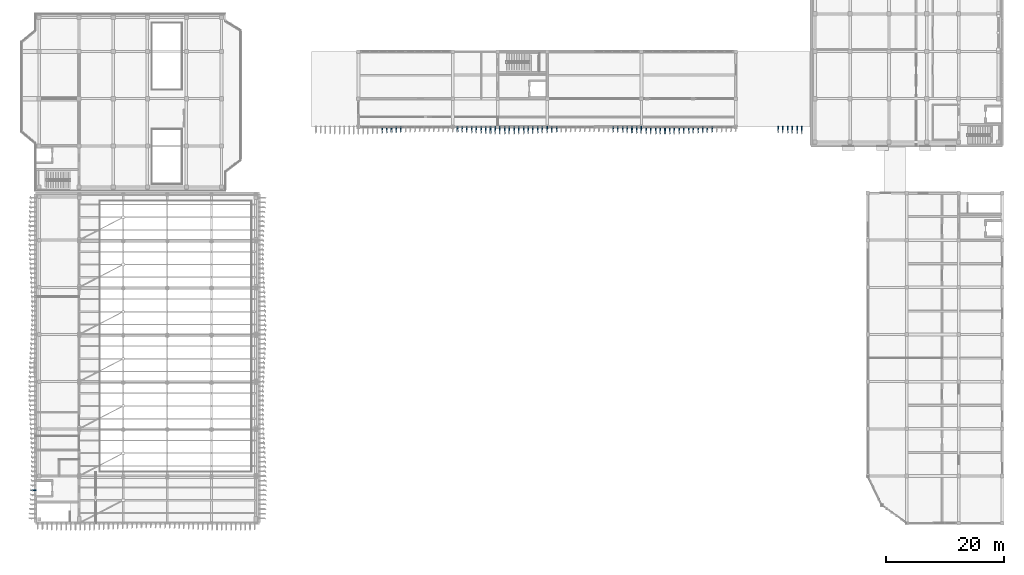
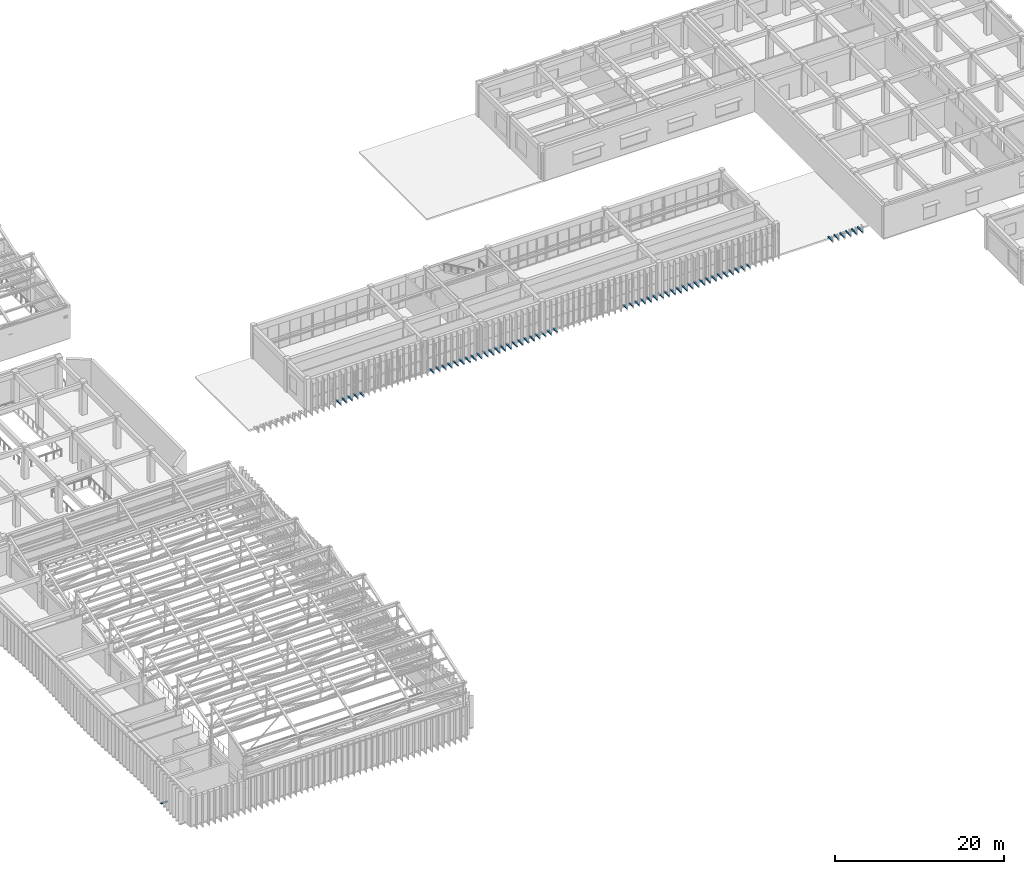
# One storey, part 62 of 76: 56 discrete accessories.
"""IFC4 building model written with IfcOpenShell, lengths in metres."""

from ifc_helpers import new_model, si_unit, direction, frame, origin, origin_2d, place, context, subcontext, project, spatial, rectangle, extrude, material, type_object, element, save


model = new_model("IFC4")

# Units and contexts
model_context = context("Model", 3, precision=1e-05, world=origin(), true_north=direction((0.0, 1.0)))
body_context = subcontext(model_context, "Body", "Model", "MODEL_VIEW")
ifc_project = project(units=[si_unit("LENGTHUNIT", "METRE"), si_unit("AREAUNIT", "SQUARE_METRE"), si_unit("VOLUMEUNIT", "CUBIC_METRE"), si_unit("PLANEANGLEUNIT", "RADIAN"), si_unit("MASSUNIT", "GRAM", prefix="KILO")], contexts=[model_context])

# Site, building, storey
site_placement = place(None, origin())
site = spatial("IfcSite", under=ifc_project, at=site_placement, CompositionType="ELEMENT")
building_placement = place(site_placement, origin())
building = spatial("IfcBuilding", under=site, at=building_placement, Name="Cinchona Park Media Centre", CompositionType="ELEMENT")
storey_placement = place(building_placement, frame((0.0, 0.0, 15.60009765625)))
storey = spatial("IfcBuildingStorey", under=building, at=storey_placement, Name="L03", CompositionType="ELEMENT", Elevation=15.60009765625)

# Discrete accessories
ifc_material = material(Name="Steel S355", Category="steel")
discrete_accessory_type = type_object("IfcDiscreteAccessoryType", Name="BRACKET-BRK01", PredefinedType="BRACKET", material=ifc_material)
discrete_accessory_1_placement = place(storey_placement, frame((7.68994140625, 13.199951171875, 0.0400390625), z_axis=(0.0, 0.0, 1.0), x_axis=(0.0, -1.0, 0.0)))
element("IfcDiscreteAccessory", 1, at=discrete_accessory_1_placement, inside=storey, type_object=discrete_accessory_type, Name="Facade Fin Outrigger Bracket L03", PredefinedType="BRACKET", context=body_context, shape_type="SweptSolid", body=[
    extrude(rectangle(XDim=0.179931640625, YDim=0.93994140625, at=origin_2d()), origin(), (0.0, 0.0, 1.0), 0.159912109375),
])
discrete_accessory_2_placement = place(storey_placement, frame((66.800048828125, 74.385986328125, 0.0400390625), z_axis=(0.0, 0.0, 1.0), x_axis=(1.0, 0.0, 0.0)))
element("IfcDiscreteAccessory", 2, at=discrete_accessory_2_placement, inside=storey, type_object=discrete_accessory_type, Name="Facade Fin Outrigger Bracket L03", PredefinedType="BRACKET", context=body_context, shape_type="SweptSolid", body=[
    extrude(rectangle(XDim=0.179931640625, YDim=1.14794921875, at=origin_2d()), origin(), (0.0, 0.0, 1.0), 0.159912109375),
])
discrete_accessory_3_placement = place(storey_placement, frame((67.60009765625, 74.405029296875, 0.0400390625), z_axis=(0.0, 0.0, 1.0), x_axis=(1.0, 0.0, 0.0)))
element("IfcDiscreteAccessory", 3, at=discrete_accessory_3_placement, inside=storey, type_object=discrete_accessory_type, Name="Facade Fin Outrigger Bracket L03", PredefinedType="BRACKET", context=body_context, shape_type="SweptSolid", body=[
    extrude(rectangle(XDim=0.179931640625, YDim=1.110107421875, at=origin_2d()), origin(), (0.0, 0.0, 1.0), 0.159912109375),
])
discrete_accessory_4_placement = place(storey_placement, frame((68.39990234375, 74.425048828125, 0.0400390625), z_axis=(0.0, 0.0, 1.0), x_axis=(1.0, 0.0, 0.0)))
element("IfcDiscreteAccessory", 4, at=discrete_accessory_4_placement, inside=storey, type_object=discrete_accessory_type, Name="Facade Fin Outrigger Bracket L03", PredefinedType="BRACKET", context=body_context, shape_type="SweptSolid", body=[
    extrude(rectangle(XDim=0.179931640625, YDim=1.070068359375, at=origin_2d()), origin(), (0.0, 0.0, 1.0), 0.159912109375),
])
discrete_accessory_5_placement = place(storey_placement, frame((69.199951171875, 74.445068359375, 0.0400390625), z_axis=(0.0, 0.0, 1.0), x_axis=(1.0, 0.0, 0.0)))
element("IfcDiscreteAccessory", 5, at=discrete_accessory_5_placement, inside=storey, type_object=discrete_accessory_type, Name="Facade Fin Outrigger Bracket L03", PredefinedType="BRACKET", context=body_context, shape_type="SweptSolid", body=[
    extrude(rectangle(XDim=0.179931640625, YDim=1.030029296875, at=origin_2d()), origin(), (0.0, 0.0, 1.0), 0.159912109375),
])
discrete_accessory_6_placement = place(storey_placement, frame((70.0, 74.464111328125, 0.0400390625), z_axis=(0.0, 0.0, 1.0), x_axis=(1.0, 0.0, 0.0)))
element("IfcDiscreteAccessory", 6, at=discrete_accessory_6_placement, inside=storey, type_object=discrete_accessory_type, Name="Facade Fin Outrigger Bracket L03", PredefinedType="BRACKET", context=body_context, shape_type="SweptSolid", body=[
    extrude(rectangle(XDim=0.179931640625, YDim=0.991943359375, at=origin_2d()), origin(), (0.0, 0.0, 1.0), 0.159912109375),
])
discrete_accessory_7_placement = place(storey_placement, frame((79.60009765625, 74.472900390625, 0.0400390625), z_axis=(0.0, 0.0, 1.0), x_axis=(1.0, 0.0, 0.0)))
element("IfcDiscreteAccessory", 7, at=discrete_accessory_7_placement, inside=storey, type_object=discrete_accessory_type, Name="Facade Fin Outrigger Bracket L03", PredefinedType="BRACKET", context=body_context, shape_type="SweptSolid", body=[
    extrude(rectangle(XDim=0.179931640625, YDim=0.97412109375, at=origin_2d()), origin(), (0.0, 0.0, 1.0), 0.159912109375),
])
discrete_accessory_8_placement = place(storey_placement, frame((80.39990234375, 74.455078125, 0.0400390625), z_axis=(0.0, 0.0, 1.0), x_axis=(1.0, 0.0, 0.0)))
element("IfcDiscreteAccessory", 8, at=discrete_accessory_8_placement, inside=storey, type_object=discrete_accessory_type, Name="Facade Fin Outrigger Bracket L03", PredefinedType="BRACKET", context=body_context, shape_type="SweptSolid", body=[
    extrude(rectangle(XDim=0.179931640625, YDim=1.010986328125, at=origin_2d()), origin(), (0.0, 0.0, 1.0), 0.159912109375),
])
discrete_accessory_9_placement = place(storey_placement, frame((81.199951171875, 74.43505859375, 0.0400390625), z_axis=(0.0, 0.0, 1.0), x_axis=(1.0, 0.0, 0.0)))
element("IfcDiscreteAccessory", 9, at=discrete_accessory_9_placement, inside=storey, type_object=discrete_accessory_type, Name="Facade Fin Outrigger Bracket L03", PredefinedType="BRACKET", context=body_context, shape_type="SweptSolid", body=[
    extrude(rectangle(XDim=0.179931640625, YDim=1.050048828125, at=origin_2d()), origin(), (0.0, 0.0, 1.0), 0.159912109375),
])
discrete_accessory_10_placement = place(storey_placement, frame((82.0, 74.4150390625, 0.0400390625), z_axis=(0.0, 0.0, 1.0), x_axis=(1.0, 0.0, 0.0)))
element("IfcDiscreteAccessory", 10, at=discrete_accessory_10_placement, inside=storey, type_object=discrete_accessory_type, Name="Facade Fin Outrigger Bracket L03", PredefinedType="BRACKET", context=body_context, shape_type="SweptSolid", body=[
    extrude(rectangle(XDim=0.179931640625, YDim=1.090087890625, at=origin_2d()), origin(), (0.0, 0.0, 1.0), 0.159912109375),
])
discrete_accessory_11_placement = place(storey_placement, frame((82.800048828125, 74.39501953125, 0.0400390625), z_axis=(0.0, 0.0, 1.0), x_axis=(1.0, 0.0, 0.0)))
element("IfcDiscreteAccessory", 11, at=discrete_accessory_11_placement, inside=storey, type_object=discrete_accessory_type, Name="Facade Fin Outrigger Bracket L03", PredefinedType="BRACKET", context=body_context, shape_type="SweptSolid", body=[
    extrude(rectangle(XDim=0.179931640625, YDim=1.12890625, at=origin_2d()), origin(), (0.0, 0.0, 1.0), 0.159912109375),
])
discrete_accessory_12_placement = place(storey_placement, frame((83.60009765625, 74.376953125, 0.0400390625), z_axis=(0.0, 0.0, 1.0), x_axis=(1.0, 0.0, 0.0)))
element("IfcDiscreteAccessory", 12, at=discrete_accessory_12_placement, inside=storey, type_object=discrete_accessory_type, Name="Facade Fin Outrigger Bracket L03", PredefinedType="BRACKET", context=body_context, shape_type="SweptSolid", body=[
    extrude(rectangle(XDim=0.179931640625, YDim=1.166015625, at=origin_2d()), origin(), (0.0, 0.0, 1.0), 0.159912109375),
])
discrete_accessory_13_placement = place(storey_placement, frame((84.39990234375, 74.360107421875, 0.0400390625), z_axis=(0.0, 0.0, 1.0), x_axis=(1.0, 0.0, 0.0)))
element("IfcDiscreteAccessory", 13, at=discrete_accessory_13_placement, inside=storey, type_object=discrete_accessory_type, Name="Facade Fin Outrigger Bracket L03", PredefinedType="BRACKET", context=body_context, shape_type="SweptSolid", body=[
    extrude(rectangle(XDim=0.179931640625, YDim=1.199951171875, at=origin_2d()), origin(), (0.0, 0.0, 1.0), 0.159912109375),
])
discrete_accessory_14_placement = place(storey_placement, frame((85.199951171875, 74.345947265625, 0.0400390625), z_axis=(0.0, 0.0, 1.0), x_axis=(1.0, 0.0, 0.0)))
element("IfcDiscreteAccessory", 14, at=discrete_accessory_14_placement, inside=storey, type_object=discrete_accessory_type, Name="Facade Fin Outrigger Bracket L03", PredefinedType="BRACKET", context=body_context, shape_type="SweptSolid", body=[
    extrude(rectangle(XDim=0.179931640625, YDim=1.22900390625, at=origin_2d()), origin(), (0.0, 0.0, 1.0), 0.159912109375),
])
discrete_accessory_15_placement = place(storey_placement, frame((86.0, 74.333984375, 0.0400390625), z_axis=(0.0, 0.0, 1.0), x_axis=(1.0, 0.0, 0.0)))
element("IfcDiscreteAccessory", 15, at=discrete_accessory_15_placement, inside=storey, type_object=discrete_accessory_type, Name="Facade Fin Outrigger Bracket L03", PredefinedType="BRACKET", context=body_context, shape_type="SweptSolid", body=[
    extrude(rectangle(XDim=0.179931640625, YDim=1.251953125, at=origin_2d()), origin(), (0.0, 0.0, 1.0), 0.159912109375),
])
discrete_accessory_16_placement = place(storey_placement, frame((86.800048828125, 74.325927734375, 0.0400390625), z_axis=(0.0, 0.0, 1.0), x_axis=(1.0, 0.0, 0.0)))
element("IfcDiscreteAccessory", 16, at=discrete_accessory_16_placement, inside=storey, type_object=discrete_accessory_type, Name="Facade Fin Outrigger Bracket L03", PredefinedType="BRACKET", context=body_context, shape_type="SweptSolid", body=[
    extrude(rectangle(XDim=0.179931640625, YDim=1.26806640625, at=origin_2d()), origin(), (0.0, 0.0, 1.0), 0.159912109375),
])
discrete_accessory_17_placement = place(storey_placement, frame((87.60009765625, 74.321044921875, 0.0400390625), z_axis=(0.0, 0.0, 1.0), x_axis=(1.0, 0.0, 0.0)))
element("IfcDiscreteAccessory", 17, at=discrete_accessory_17_placement, inside=storey, type_object=discrete_accessory_type, Name="Facade Fin Outrigger Bracket L03", PredefinedType="BRACKET", context=body_context, shape_type="SweptSolid", body=[
    extrude(rectangle(XDim=0.179931640625, YDim=1.278076171875, at=origin_2d()), origin(), (0.0, 0.0, 1.0), 0.159912109375),
])
discrete_accessory_18_placement = place(storey_placement, frame((88.39990234375, 74.320068359375, 0.0400390625), z_axis=(0.0, 0.0, 1.0), x_axis=(1.0, 0.0, 0.0)))
element("IfcDiscreteAccessory", 18, at=discrete_accessory_18_placement, inside=storey, type_object=discrete_accessory_type, Name="Facade Fin Outrigger Bracket L03", PredefinedType="BRACKET", context=body_context, shape_type="SweptSolid", body=[
    extrude(rectangle(XDim=0.179931640625, YDim=1.280029296875, at=origin_2d()), origin(), (0.0, 0.0, 1.0), 0.159912109375),
])
discrete_accessory_19_placement = place(storey_placement, frame((89.199951171875, 74.322998046875, 0.0400390625), z_axis=(0.0, 0.0, 1.0), x_axis=(1.0, 0.0, 0.0)))
element("IfcDiscreteAccessory", 19, at=discrete_accessory_19_placement, inside=storey, type_object=discrete_accessory_type, Name="Facade Fin Outrigger Bracket L03", PredefinedType="BRACKET", context=body_context, shape_type="SweptSolid", body=[
    extrude(rectangle(XDim=0.179931640625, YDim=1.27392578125, at=origin_2d()), origin(), (0.0, 0.0, 1.0), 0.159912109375),
])
discrete_accessory_20_placement = place(storey_placement, frame((90.0, 74.3291015625, 0.0400390625), z_axis=(0.0, 0.0, 1.0), x_axis=(1.0, 0.0, 0.0)))
element("IfcDiscreteAccessory", 20, at=discrete_accessory_20_placement, inside=storey, type_object=discrete_accessory_type, Name="Facade Fin Outrigger Bracket L03", PredefinedType="BRACKET", context=body_context, shape_type="SweptSolid", body=[
    extrude(rectangle(XDim=0.179931640625, YDim=1.260986328125, at=origin_2d()), origin(), (0.0, 0.0, 1.0), 0.159912109375),
])
discrete_accessory_21_placement = place(storey_placement, frame((90.800048828125, 74.339111328125, 0.0400390625), z_axis=(0.0, 0.0, 1.0), x_axis=(1.0, 0.0, 0.0)))
element("IfcDiscreteAccessory", 21, at=discrete_accessory_21_placement, inside=storey, type_object=discrete_accessory_type, Name="Facade Fin Outrigger Bracket L03", PredefinedType="BRACKET", context=body_context, shape_type="SweptSolid", body=[
    extrude(rectangle(XDim=0.179931640625, YDim=1.240966796875, at=origin_2d()), origin(), (0.0, 0.0, 1.0), 0.159912109375),
])
discrete_accessory_22_placement = place(storey_placement, frame((91.60009765625, 74.35302734375, 0.0400390625), z_axis=(0.0, 0.0, 1.0), x_axis=(1.0, 0.0, 0.0)))
element("IfcDiscreteAccessory", 22, at=discrete_accessory_22_placement, inside=storey, type_object=discrete_accessory_type, Name="Facade Fin Outrigger Bracket L03", PredefinedType="BRACKET", context=body_context, shape_type="SweptSolid", body=[
    extrude(rectangle(XDim=0.179931640625, YDim=1.215087890625, at=origin_2d()), origin(), (0.0, 0.0, 1.0), 0.159912109375),
])
discrete_accessory_23_placement = place(storey_placement, frame((92.39990234375, 74.367919921875, 0.0400390625), z_axis=(0.0, 0.0, 1.0), x_axis=(1.0, 0.0, 0.0)))
element("IfcDiscreteAccessory", 23, at=discrete_accessory_23_placement, inside=storey, type_object=discrete_accessory_type, Name="Facade Fin Outrigger Bracket L03", PredefinedType="BRACKET", context=body_context, shape_type="SweptSolid", body=[
    extrude(rectangle(XDim=0.179931640625, YDim=1.18408203125, at=origin_2d()), origin(), (0.0, 0.0, 1.0), 0.159912109375),
])
discrete_accessory_24_placement = place(storey_placement, frame((93.199951171875, 74.385986328125, 0.0400390625), z_axis=(0.0, 0.0, 1.0), x_axis=(1.0, 0.0, 0.0)))
element("IfcDiscreteAccessory", 24, at=discrete_accessory_24_placement, inside=storey, type_object=discrete_accessory_type, Name="Facade Fin Outrigger Bracket L03", PredefinedType="BRACKET", context=body_context, shape_type="SweptSolid", body=[
    extrude(rectangle(XDim=0.179931640625, YDim=1.14794921875, at=origin_2d()), origin(), (0.0, 0.0, 1.0), 0.159912109375),
])
discrete_accessory_25_placement = place(storey_placement, frame((94.0, 74.405029296875, 0.0400390625), z_axis=(0.0, 0.0, 1.0), x_axis=(1.0, 0.0, 0.0)))
element("IfcDiscreteAccessory", 25, at=discrete_accessory_25_placement, inside=storey, type_object=discrete_accessory_type, Name="Facade Fin Outrigger Bracket L03", PredefinedType="BRACKET", context=body_context, shape_type="SweptSolid", body=[
    extrude(rectangle(XDim=0.179931640625, YDim=1.110107421875, at=origin_2d()), origin(), (0.0, 0.0, 1.0), 0.159912109375),
])
discrete_accessory_26_placement = place(storey_placement, frame((94.800048828125, 74.425048828125, 0.0400390625), z_axis=(0.0, 0.0, 1.0), x_axis=(1.0, 0.0, 0.0)))
element("IfcDiscreteAccessory", 26, at=discrete_accessory_26_placement, inside=storey, type_object=discrete_accessory_type, Name="Facade Fin Outrigger Bracket L03", PredefinedType="BRACKET", context=body_context, shape_type="SweptSolid", body=[
    extrude(rectangle(XDim=0.179931640625, YDim=1.070068359375, at=origin_2d()), origin(), (0.0, 0.0, 1.0), 0.159912109375),
])
discrete_accessory_27_placement = place(storey_placement, frame((95.60009765625, 74.445068359375, 0.0400390625), z_axis=(0.0, 0.0, 1.0), x_axis=(1.0, 0.0, 0.0)))
element("IfcDiscreteAccessory", 27, at=discrete_accessory_27_placement, inside=storey, type_object=discrete_accessory_type, Name="Facade Fin Outrigger Bracket L03", PredefinedType="BRACKET", context=body_context, shape_type="SweptSolid", body=[
    extrude(rectangle(XDim=0.179931640625, YDim=1.030029296875, at=origin_2d()), origin(), (0.0, 0.0, 1.0), 0.159912109375),
])
discrete_accessory_28_placement = place(storey_placement, frame((96.39990234375, 74.464111328125, 0.0400390625), z_axis=(0.0, 0.0, 1.0), x_axis=(1.0, 0.0, 0.0)))
element("IfcDiscreteAccessory", 28, at=discrete_accessory_28_placement, inside=storey, type_object=discrete_accessory_type, Name="Facade Fin Outrigger Bracket L03", PredefinedType="BRACKET", context=body_context, shape_type="SweptSolid", body=[
    extrude(rectangle(XDim=0.179931640625, YDim=0.991943359375, at=origin_2d()), origin(), (0.0, 0.0, 1.0), 0.159912109375),
])
discrete_accessory_29_placement = place(storey_placement, frame((106.0, 74.472900390625, 0.0400390625), z_axis=(0.0, 0.0, 1.0), x_axis=(1.0, 0.0, 0.0)))
element("IfcDiscreteAccessory", 29, at=discrete_accessory_29_placement, inside=storey, type_object=discrete_accessory_type, Name="Facade Fin Outrigger Bracket L03", PredefinedType="BRACKET", context=body_context, shape_type="SweptSolid", body=[
    extrude(rectangle(XDim=0.179931640625, YDim=0.97412109375, at=origin_2d()), origin(), (0.0, 0.0, 1.0), 0.159912109375),
])
discrete_accessory_30_placement = place(storey_placement, frame((106.800048828125, 74.455078125, 0.0400390625), z_axis=(0.0, 0.0, 1.0), x_axis=(1.0, 0.0, 0.0)))
element("IfcDiscreteAccessory", 30, at=discrete_accessory_30_placement, inside=storey, type_object=discrete_accessory_type, Name="Facade Fin Outrigger Bracket L03", PredefinedType="BRACKET", context=body_context, shape_type="SweptSolid", body=[
    extrude(rectangle(XDim=0.179931640625, YDim=1.010986328125, at=origin_2d()), origin(), (0.0, 0.0, 1.0), 0.159912109375),
])
discrete_accessory_31_placement = place(storey_placement, frame((107.60009765625, 74.43505859375, 0.0400390625), z_axis=(0.0, 0.0, 1.0), x_axis=(1.0, 0.0, 0.0)))
element("IfcDiscreteAccessory", 31, at=discrete_accessory_31_placement, inside=storey, type_object=discrete_accessory_type, Name="Facade Fin Outrigger Bracket L03", PredefinedType="BRACKET", context=body_context, shape_type="SweptSolid", body=[
    extrude(rectangle(XDim=0.179931640625, YDim=1.050048828125, at=origin_2d()), origin(), (0.0, 0.0, 1.0), 0.159912109375),
])
discrete_accessory_32_placement = place(storey_placement, frame((108.39990234375, 74.4150390625, 0.0400390625), z_axis=(0.0, 0.0, 1.0), x_axis=(1.0, 0.0, 0.0)))
element("IfcDiscreteAccessory", 32, at=discrete_accessory_32_placement, inside=storey, type_object=discrete_accessory_type, Name="Facade Fin Outrigger Bracket L03", PredefinedType="BRACKET", context=body_context, shape_type="SweptSolid", body=[
    extrude(rectangle(XDim=0.179931640625, YDim=1.090087890625, at=origin_2d()), origin(), (0.0, 0.0, 1.0), 0.159912109375),
])
discrete_accessory_33_placement = place(storey_placement, frame((109.199951171875, 74.39501953125, 0.0400390625), z_axis=(0.0, 0.0, 1.0), x_axis=(1.0, 0.0, 0.0)))
element("IfcDiscreteAccessory", 33, at=discrete_accessory_33_placement, inside=storey, type_object=discrete_accessory_type, Name="Facade Fin Outrigger Bracket L03", PredefinedType="BRACKET", context=body_context, shape_type="SweptSolid", body=[
    extrude(rectangle(XDim=0.179931640625, YDim=1.12890625, at=origin_2d()), origin(), (0.0, 0.0, 1.0), 0.159912109375),
])
discrete_accessory_34_placement = place(storey_placement, frame((110.0, 74.376953125, 0.0400390625), z_axis=(0.0, 0.0, 1.0), x_axis=(1.0, 0.0, 0.0)))
element("IfcDiscreteAccessory", 34, at=discrete_accessory_34_placement, inside=storey, type_object=discrete_accessory_type, Name="Facade Fin Outrigger Bracket L03", PredefinedType="BRACKET", context=body_context, shape_type="SweptSolid", body=[
    extrude(rectangle(XDim=0.179931640625, YDim=1.166015625, at=origin_2d()), origin(), (0.0, 0.0, 1.0), 0.159912109375),
])
discrete_accessory_35_placement = place(storey_placement, frame((110.800048828125, 74.360107421875, 0.0400390625), z_axis=(0.0, 0.0, 1.0), x_axis=(1.0, 0.0, 0.0)))
element("IfcDiscreteAccessory", 35, at=discrete_accessory_35_placement, inside=storey, type_object=discrete_accessory_type, Name="Facade Fin Outrigger Bracket L03", PredefinedType="BRACKET", context=body_context, shape_type="SweptSolid", body=[
    extrude(rectangle(XDim=0.179931640625, YDim=1.199951171875, at=origin_2d()), origin(), (0.0, 0.0, 1.0), 0.159912109375),
])
discrete_accessory_36_placement = place(storey_placement, frame((111.60009765625, 74.345947265625, 0.0400390625), z_axis=(0.0, 0.0, 1.0), x_axis=(1.0, 0.0, 0.0)))
element("IfcDiscreteAccessory", 36, at=discrete_accessory_36_placement, inside=storey, type_object=discrete_accessory_type, Name="Facade Fin Outrigger Bracket L03", PredefinedType="BRACKET", context=body_context, shape_type="SweptSolid", body=[
    extrude(rectangle(XDim=0.179931640625, YDim=1.22900390625, at=origin_2d()), origin(), (0.0, 0.0, 1.0), 0.159912109375),
])
discrete_accessory_37_placement = place(storey_placement, frame((112.39990234375, 74.333984375, 0.0400390625), z_axis=(0.0, 0.0, 1.0), x_axis=(1.0, 0.0, 0.0)))
element("IfcDiscreteAccessory", 37, at=discrete_accessory_37_placement, inside=storey, type_object=discrete_accessory_type, Name="Facade Fin Outrigger Bracket L03", PredefinedType="BRACKET", context=body_context, shape_type="SweptSolid", body=[
    extrude(rectangle(XDim=0.179931640625, YDim=1.251953125, at=origin_2d()), origin(), (0.0, 0.0, 1.0), 0.159912109375),
])
discrete_accessory_38_placement = place(storey_placement, frame((113.199951171875, 74.325927734375, 0.0400390625), z_axis=(0.0, 0.0, 1.0), x_axis=(1.0, 0.0, 0.0)))
element("IfcDiscreteAccessory", 38, at=discrete_accessory_38_placement, inside=storey, type_object=discrete_accessory_type, Name="Facade Fin Outrigger Bracket L03", PredefinedType="BRACKET", context=body_context, shape_type="SweptSolid", body=[
    extrude(rectangle(XDim=0.179931640625, YDim=1.26806640625, at=origin_2d()), origin(), (0.0, 0.0, 1.0), 0.159912109375),
])
discrete_accessory_39_placement = place(storey_placement, frame((114.0, 74.321044921875, 0.0400390625), z_axis=(0.0, 0.0, 1.0), x_axis=(1.0, 0.0, 0.0)))
element("IfcDiscreteAccessory", 39, at=discrete_accessory_39_placement, inside=storey, type_object=discrete_accessory_type, Name="Facade Fin Outrigger Bracket L03", PredefinedType="BRACKET", context=body_context, shape_type="SweptSolid", body=[
    extrude(rectangle(XDim=0.179931640625, YDim=1.278076171875, at=origin_2d()), origin(), (0.0, 0.0, 1.0), 0.159912109375),
])
discrete_accessory_40_placement = place(storey_placement, frame((114.800048828125, 74.320068359375, 0.0400390625), z_axis=(0.0, 0.0, 1.0), x_axis=(1.0, 0.0, 0.0)))
element("IfcDiscreteAccessory", 40, at=discrete_accessory_40_placement, inside=storey, type_object=discrete_accessory_type, Name="Facade Fin Outrigger Bracket L03", PredefinedType="BRACKET", context=body_context, shape_type="SweptSolid", body=[
    extrude(rectangle(XDim=0.179931640625, YDim=1.280029296875, at=origin_2d()), origin(), (0.0, 0.0, 1.0), 0.159912109375),
])
discrete_accessory_41_placement = place(storey_placement, frame((115.60009765625, 74.322998046875, 0.0400390625), z_axis=(0.0, 0.0, 1.0), x_axis=(1.0, 0.0, 0.0)))
element("IfcDiscreteAccessory", 41, at=discrete_accessory_41_placement, inside=storey, type_object=discrete_accessory_type, Name="Facade Fin Outrigger Bracket L03", PredefinedType="BRACKET", context=body_context, shape_type="SweptSolid", body=[
    extrude(rectangle(XDim=0.179931640625, YDim=1.27392578125, at=origin_2d()), origin(), (0.0, 0.0, 1.0), 0.159912109375),
])
discrete_accessory_42_placement = place(storey_placement, frame((116.39990234375, 74.3291015625, 0.0400390625), z_axis=(0.0, 0.0, 1.0), x_axis=(1.0, 0.0, 0.0)))
element("IfcDiscreteAccessory", 42, at=discrete_accessory_42_placement, inside=storey, type_object=discrete_accessory_type, Name="Facade Fin Outrigger Bracket L03", PredefinedType="BRACKET", context=body_context, shape_type="SweptSolid", body=[
    extrude(rectangle(XDim=0.179931640625, YDim=1.260986328125, at=origin_2d()), origin(), (0.0, 0.0, 1.0), 0.159912109375),
])
discrete_accessory_43_placement = place(storey_placement, frame((117.199951171875, 74.339111328125, 0.0400390625), z_axis=(0.0, 0.0, 1.0), x_axis=(1.0, 0.0, 0.0)))
element("IfcDiscreteAccessory", 43, at=discrete_accessory_43_placement, inside=storey, type_object=discrete_accessory_type, Name="Facade Fin Outrigger Bracket L03", PredefinedType="BRACKET", context=body_context, shape_type="SweptSolid", body=[
    extrude(rectangle(XDim=0.179931640625, YDim=1.240966796875, at=origin_2d()), origin(), (0.0, 0.0, 1.0), 0.159912109375),
])
discrete_accessory_44_placement = place(storey_placement, frame((118.0, 74.35302734375, 0.0400390625), z_axis=(0.0, 0.0, 1.0), x_axis=(1.0, 0.0, 0.0)))
element("IfcDiscreteAccessory", 44, at=discrete_accessory_44_placement, inside=storey, type_object=discrete_accessory_type, Name="Facade Fin Outrigger Bracket L03", PredefinedType="BRACKET", context=body_context, shape_type="SweptSolid", body=[
    extrude(rectangle(XDim=0.179931640625, YDim=1.215087890625, at=origin_2d()), origin(), (0.0, 0.0, 1.0), 0.159912109375),
])
discrete_accessory_45_placement = place(storey_placement, frame((118.800048828125, 74.367919921875, 0.0400390625), z_axis=(0.0, 0.0, 1.0), x_axis=(1.0, 0.0, 0.0)))
element("IfcDiscreteAccessory", 45, at=discrete_accessory_45_placement, inside=storey, type_object=discrete_accessory_type, Name="Facade Fin Outrigger Bracket L03", PredefinedType="BRACKET", context=body_context, shape_type="SweptSolid", body=[
    extrude(rectangle(XDim=0.179931640625, YDim=1.18408203125, at=origin_2d()), origin(), (0.0, 0.0, 1.0), 0.159912109375),
])
discrete_accessory_46_placement = place(storey_placement, frame((119.60009765625, 74.385986328125, 0.0400390625), z_axis=(0.0, 0.0, 1.0), x_axis=(1.0, 0.0, 0.0)))
element("IfcDiscreteAccessory", 46, at=discrete_accessory_46_placement, inside=storey, type_object=discrete_accessory_type, Name="Facade Fin Outrigger Bracket L03", PredefinedType="BRACKET", context=body_context, shape_type="SweptSolid", body=[
    extrude(rectangle(XDim=0.179931640625, YDim=1.14794921875, at=origin_2d()), origin(), (0.0, 0.0, 1.0), 0.159912109375),
])
discrete_accessory_47_placement = place(storey_placement, frame((120.39990234375, 74.405029296875, 0.0400390625), z_axis=(0.0, 0.0, 1.0), x_axis=(1.0, 0.0, 0.0)))
element("IfcDiscreteAccessory", 47, at=discrete_accessory_47_placement, inside=storey, type_object=discrete_accessory_type, Name="Facade Fin Outrigger Bracket L03", PredefinedType="BRACKET", context=body_context, shape_type="SweptSolid", body=[
    extrude(rectangle(XDim=0.179931640625, YDim=1.110107421875, at=origin_2d()), origin(), (0.0, 0.0, 1.0), 0.159912109375),
])
discrete_accessory_48_placement = place(storey_placement, frame((121.199951171875, 74.425048828125, 0.0400390625), z_axis=(0.0, 0.0, 1.0), x_axis=(1.0, 0.0, 0.0)))
element("IfcDiscreteAccessory", 48, at=discrete_accessory_48_placement, inside=storey, type_object=discrete_accessory_type, Name="Facade Fin Outrigger Bracket L03", PredefinedType="BRACKET", context=body_context, shape_type="SweptSolid", body=[
    extrude(rectangle(XDim=0.179931640625, YDim=1.070068359375, at=origin_2d()), origin(), (0.0, 0.0, 1.0), 0.159912109375),
])
discrete_accessory_49_placement = place(storey_placement, frame((122.0, 74.445068359375, 0.0400390625), z_axis=(0.0, 0.0, 1.0), x_axis=(1.0, 0.0, 0.0)))
element("IfcDiscreteAccessory", 49, at=discrete_accessory_49_placement, inside=storey, type_object=discrete_accessory_type, Name="Facade Fin Outrigger Bracket L03", PredefinedType="BRACKET", context=body_context, shape_type="SweptSolid", body=[
    extrude(rectangle(XDim=0.179931640625, YDim=1.030029296875, at=origin_2d()), origin(), (0.0, 0.0, 1.0), 0.159912109375),
])
discrete_accessory_50_placement = place(storey_placement, frame((122.800048828125, 74.464111328125, 0.0400390625), z_axis=(0.0, 0.0, 1.0), x_axis=(1.0, 0.0, 0.0)))
element("IfcDiscreteAccessory", 50, at=discrete_accessory_50_placement, inside=storey, type_object=discrete_accessory_type, Name="Facade Fin Outrigger Bracket L03", PredefinedType="BRACKET", context=body_context, shape_type="SweptSolid", body=[
    extrude(rectangle(XDim=0.179931640625, YDim=0.991943359375, at=origin_2d()), origin(), (0.0, 0.0, 1.0), 0.159912109375),
])
discrete_accessory_51_placement = place(storey_placement, frame((134.0, 74.43505859375, 0.0400390625), z_axis=(0.0, 0.0, 1.0), x_axis=(1.0, 0.0, 0.0)))
element("IfcDiscreteAccessory", 51, at=discrete_accessory_51_placement, inside=storey, type_object=discrete_accessory_type, Name="Facade Fin Outrigger Bracket L03", PredefinedType="BRACKET", context=body_context, shape_type="SweptSolid", body=[
    extrude(rectangle(XDim=0.179931640625, YDim=1.050048828125, at=origin_2d()), origin(), (0.0, 0.0, 1.0), 0.159912109375),
])
discrete_accessory_52_placement = place(storey_placement, frame((134.800048828125, 74.4150390625, 0.0400390625), z_axis=(0.0, 0.0, 1.0), x_axis=(1.0, 0.0, 0.0)))
element("IfcDiscreteAccessory", 52, at=discrete_accessory_52_placement, inside=storey, type_object=discrete_accessory_type, Name="Facade Fin Outrigger Bracket L03", PredefinedType="BRACKET", context=body_context, shape_type="SweptSolid", body=[
    extrude(rectangle(XDim=0.179931640625, YDim=1.090087890625, at=origin_2d()), origin(), (0.0, 0.0, 1.0), 0.159912109375),
])
discrete_accessory_53_placement = place(storey_placement, frame((135.60009765625, 74.39501953125, 0.0400390625), z_axis=(0.0, 0.0, 1.0), x_axis=(1.0, 0.0, 0.0)))
element("IfcDiscreteAccessory", 53, at=discrete_accessory_53_placement, inside=storey, type_object=discrete_accessory_type, Name="Facade Fin Outrigger Bracket L03", PredefinedType="BRACKET", context=body_context, shape_type="SweptSolid", body=[
    extrude(rectangle(XDim=0.179931640625, YDim=1.12890625, at=origin_2d()), origin(), (0.0, 0.0, 1.0), 0.159912109375),
])
discrete_accessory_54_placement = place(storey_placement, frame((136.39990234375, 74.376953125, 0.0400390625), z_axis=(0.0, 0.0, 1.0), x_axis=(1.0, 0.0, 0.0)))
element("IfcDiscreteAccessory", 54, at=discrete_accessory_54_placement, inside=storey, type_object=discrete_accessory_type, Name="Facade Fin Outrigger Bracket L03", PredefinedType="BRACKET", context=body_context, shape_type="SweptSolid", body=[
    extrude(rectangle(XDim=0.179931640625, YDim=1.166015625, at=origin_2d()), origin(), (0.0, 0.0, 1.0), 0.159912109375),
])
discrete_accessory_55_placement = place(storey_placement, frame((137.199951171875, 74.360107421875, 0.0400390625), z_axis=(0.0, 0.0, 1.0), x_axis=(1.0, 0.0, 0.0)))
element("IfcDiscreteAccessory", 55, at=discrete_accessory_55_placement, inside=storey, type_object=discrete_accessory_type, Name="Facade Fin Outrigger Bracket L03", PredefinedType="BRACKET", context=body_context, shape_type="SweptSolid", body=[
    extrude(rectangle(XDim=0.179931640625, YDim=1.199951171875, at=origin_2d()), origin(), (0.0, 0.0, 1.0), 0.159912109375),
])
discrete_accessory_56_placement = place(storey_placement, frame((138.0, 74.345947265625, 0.0400390625), z_axis=(0.0, 0.0, 1.0), x_axis=(1.0, 0.0, 0.0)))
element("IfcDiscreteAccessory", 56, at=discrete_accessory_56_placement, inside=storey, type_object=discrete_accessory_type, Name="Facade Fin Outrigger Bracket L03", PredefinedType="BRACKET", context=body_context, shape_type="SweptSolid", body=[
    extrude(rectangle(XDim=0.179931640625, YDim=1.22900390625, at=origin_2d()), origin(), (0.0, 0.0, 1.0), 0.159912109375),
])

save(model, "model.ifc")
